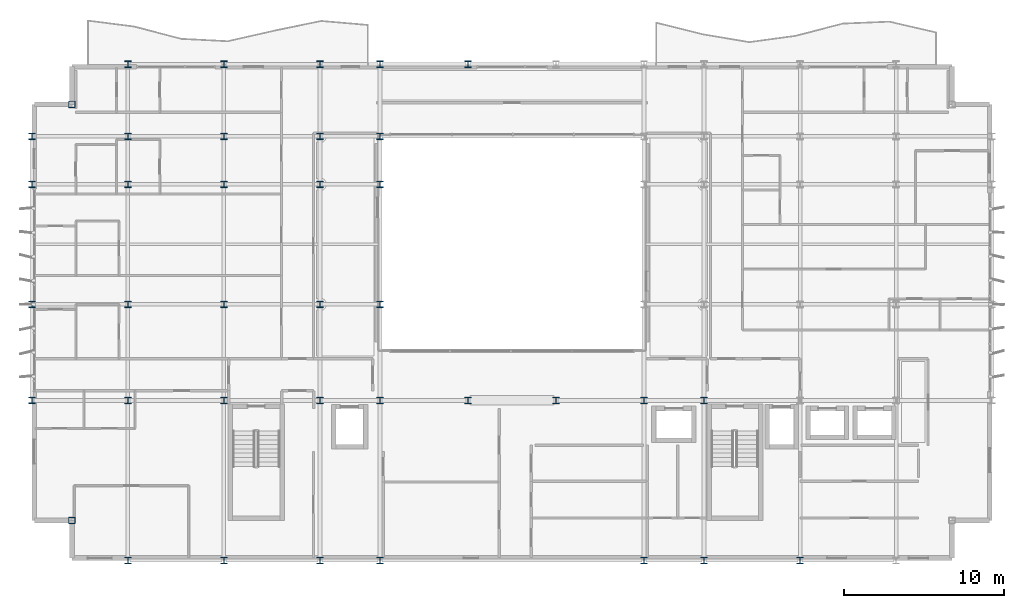
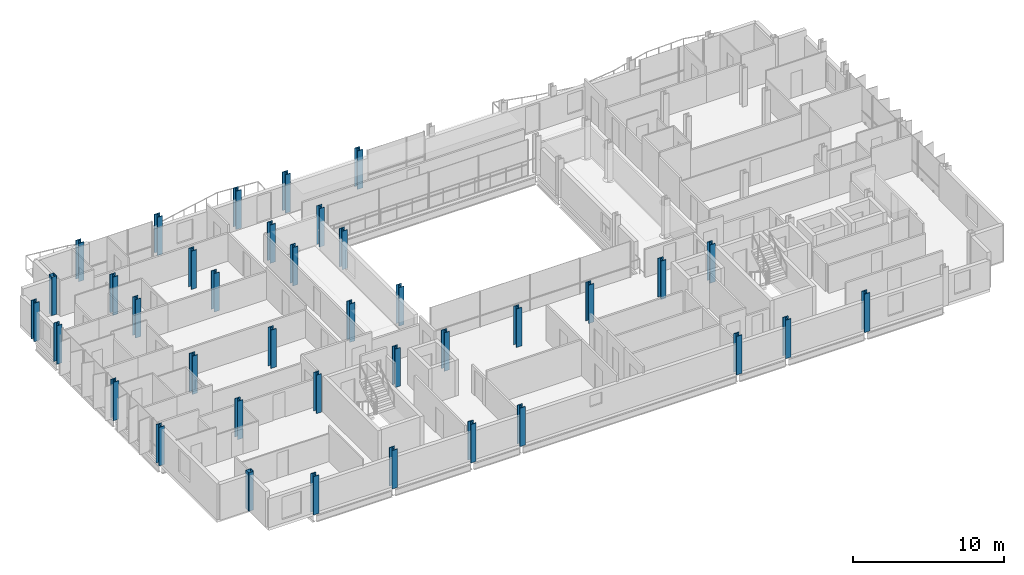
# One storey, part 1 of 39: 38 columns.
"""IFC4 building model written with IfcOpenShell, lengths in metres."""

import ifcopenshell
import ifcopenshell.guid

model = None  # the IFC model being written
_history = None  # IfcOwnerHistory: only IFC2X3 demands one
_inside = {}  # id of a spatial element -> (the spatial element, [elements in it])
_under = {}  # id of a project, library or spatial element -> (it, [spatial elements below it])
_declared = {}  # id of a project -> (the project, [libraries it declares])
_typed = {}  # id of a type object -> (the type object, [elements of that type])
_made_of = {}  # id of a material, layer set ... -> (it, [elements and type objects made of it])


def new_model(schema):
    """Start an empty IFC model of exactly this schema.

    Asked for "IFC4X3", IfcOpenShell would pick the latest addendum, in which some entities
    have other attributes; the version numbers below select the first issue.
    IFC2X3 requires an IfcOwnerHistory on every rooted entity: one is made here for all.
    """
    global model, _history
    if schema == "IFC4X3":
        model = ifcopenshell.file(schema_version=(4, 3, 0, 0))
    else:
        model = ifcopenshell.file(schema=schema)
    _inside.clear()
    _under.clear()
    _declared.clear()
    _typed.clear()
    _made_of.clear()
    _history = None
    if model.schema == "IFC2X3":
        org = make("IfcOrganization", Name="unknown")
        user = make(
            "IfcPersonAndOrganization",
            ThePerson=make("IfcPerson", FamilyName="unknown"),
            TheOrganization=org,
        )
        app = make(
            "IfcApplication",
            ApplicationDeveloper=org,
            Version="unknown",
            ApplicationFullName="unknown",
            ApplicationIdentifier="unknown",
        )
        _history = make(
            "IfcOwnerHistory",
            OwningUser=user,
            OwningApplication=app,
            ChangeAction="ADDED",
            CreationDate=0,
        )
    return model


def make(cls, **values):
    """One entity of the class cls with the attributes given. An attribute that is None is left unset."""
    return model.create_entity(
        cls, **{name: value for name, value in values.items() if value is not None}
    )


def rooted(cls, **values):
    """An entity with a GlobalId (a new one), such as an element, a storey or a relation."""
    return make(cls, GlobalId=ifcopenshell.guid.new(), OwnerHistory=_history, **values)


def si_unit(unit_type, name, prefix=None):
    """IfcSIUnit, for example si_unit("LENGTHUNIT", "METRE", prefix="MILLI")."""
    return make("IfcSIUnit", UnitType=unit_type, Prefix=prefix, Name=name)


def assignment(units):
    """IfcUnitAssignment: the units of a project."""
    return None if units is None else make("IfcUnitAssignment", Units=units)


def point(xyz):
    """IfcCartesianPoint."""
    return None if xyz is None else make("IfcCartesianPoint", Coordinates=xyz)


def direction(xyz):
    """IfcDirection."""
    return None if xyz is None else make("IfcDirection", DirectionRatios=xyz)


def frame(location, z_axis=None, x_axis=None):
    """IfcAxis2Placement3D, a coordinate frame: its origin and axes. An axis left out is left unset."""
    return make(
        "IfcAxis2Placement3D",
        Location=point(location),
        Axis=direction(z_axis),
        RefDirection=direction(x_axis),
    )


def frame_2d(location, x_axis=None):
    """IfcAxis2Placement2D, a coordinate frame in the plane: its origin and x axis."""
    return make(
        "IfcAxis2Placement2D", Location=point(location), RefDirection=direction(x_axis)
    )


def origin():
    """The frame at (0, 0, 0) with its axes left unset."""
    return frame((0.0, 0.0, 0.0))


def origin_2d():
    """The frame at (0, 0) in the plane with its x axis left unset."""
    return frame_2d((0.0, 0.0))


def place(relative_to, where):
    """IfcLocalPlacement: puts the frame where relative to a parent placement (None: the world)."""
    return make(
        "IfcLocalPlacement", PlacementRelTo=relative_to, RelativePlacement=where
    )


def context(
    kind, dimensions, precision=None, world=None, true_north=None, identifier=None
):
    """IfcGeometricRepresentationContext, for example the 3D "Model" context."""
    return make(
        "IfcGeometricRepresentationContext",
        ContextIdentifier=identifier,
        ContextType=kind,
        CoordinateSpaceDimension=dimensions,
        Precision=precision,
        WorldCoordinateSystem=world,
        TrueNorth=true_north,
    )


def subcontext(parent, identifier, kind, view, scale=None):
    """IfcGeometricRepresentationSubContext, for example "Body" below "Model"."""
    return make(
        "IfcGeometricRepresentationSubContext",
        ContextIdentifier=identifier,
        ContextType=kind,
        ParentContext=parent,
        TargetScale=scale,
        TargetView=view,
    )


def project(units=None, contexts=None):
    """IfcProject with its units and contexts."""
    return rooted(
        "IfcProject",
        Name="project",
        RepresentationContexts=contexts,
        UnitsInContext=assignment(units),
    )


def spatial(cls, under=None, at=None, **own):
    """A site, building, storey or space (cls), placed at a placement, below another one or the project."""
    s = rooted(cls, ObjectPlacement=at, **own)
    if under is not None:
        _under.setdefault(under.id(), (under, []))[1].append(s)
    return s


def profile(cls, at=None, kind="AREA", **sizes):
    """A parametric profile (cls). Its sizes go by their IFC names, for example OverallWidth=200.0."""
    return make(cls, ProfileType=kind, Position=at, **sizes)


def hollow_rectangle(**sizes):
    """IfcRectangleHollowProfileDef."""
    return profile("IfcRectangleHollowProfileDef", **sizes)


def i_section(**sizes):
    """IfcIShapeProfileDef."""
    return profile("IfcIShapeProfileDef", **sizes)


def extrude(swept, where, along, depth):
    """IfcExtrudedAreaSolid: the profile swept, set in the frame where, extruded along a direction by depth."""
    return make(
        "IfcExtrudedAreaSolid",
        SweptArea=swept,
        Position=where,
        ExtrudedDirection=direction(along),
        Depth=depth,
    )


def shape(context_of_items, identifier, shape_type, items):
    """IfcShapeRepresentation: the items that make up one representation, for example the "Body"."""
    return make(
        "IfcShapeRepresentation",
        ContextOfItems=context_of_items,
        RepresentationIdentifier=identifier,
        RepresentationType=shape_type,
        Items=items,
    )


def material(Name=None, Category=None):
    """IfcMaterial."""
    return make("IfcMaterial", Name=Name, Category=Category)


def material_profile(
    of_material, cross_section, Name=None, Category=None, Priority=None
):
    """IfcMaterialProfile: a cross section and its material."""
    return make(
        "IfcMaterialProfile",
        Name=Name,
        Material=of_material,
        Profile=cross_section,
        Priority=Priority,
        Category=Category,
    )


def profile_set(profiles, Name=None, composite=None):
    """IfcMaterialProfileSet."""
    return make(
        "IfcMaterialProfileSet",
        Name=Name,
        MaterialProfiles=profiles,
        CompositeProfile=composite,
    )


def made_of(thing, what):
    """Note that an element or type object is made of a material, layer set ...; save() writes the relation."""
    if what is not None:
        _made_of.setdefault(what.id(), (what, []))[1].append(thing)
    return thing


def type_object(cls, material=None, **own):
    """A type object (cls), such as IfcWallType, which elements share."""
    return made_of(rooted(cls, **own), material)


def element(
    cls,
    number,
    at=None,
    inside=None,
    cuts=None,
    type_object=None,
    material=None,
    context=None,
    identifier="Body",
    shape_type=None,
    held_by="IfcProductDefinitionShape",
    body=None,
    shapes=None,
    **own,
):
    """One element of the class cls, such as IfcWall. Its Tag is "e" and its number.

    at: its placement. inside: the storey or other place that contains it. cuts: it is an
    opening in that element (IfcRelVoidsElement). A single representation is given by context,
    identifier, shape_type and body (its items); several are given by shapes. held_by: the class
    of the entity that holds the representations. save() writes the other relations.
    """
    e = rooted(cls, Tag="e%d" % number, ObjectPlacement=at, **own)
    if body is not None:
        shapes = [shape(context, identifier, shape_type, body)]
    if shapes is not None:
        e.Representation = make(held_by, Representations=shapes)
    if inside is not None:
        _inside.setdefault(inside.id(), (inside, []))[1].append(e)
    if cuts is not None:
        rooted(
            "IfcRelVoidsElement", RelatingBuildingElement=cuts, RelatedOpeningElement=e
        )
    if type_object is not None:
        _typed.setdefault(type_object.id(), (type_object, []))[1].append(e)
    return made_of(e, material)


def aggregate(whole, parts):
    """IfcRelAggregates: a whole, such as a stair, and the parts it consists of."""
    return rooted("IfcRelAggregates", RelatingObject=whole, RelatedObjects=parts)


def save(model, path):
    """Write the relations noted so far, then the file.

    IfcRelAggregates (storeys below a building ...), IfcRelContainedInSpatialStructure (elements
    in a storey), IfcRelDefinesByType, IfcRelAssociatesMaterial and IfcRelDeclares: one each for
    every whole, place, type object, material and project.
    """
    for whole, parts in _under.values():
        aggregate(whole, parts)
    for where, things in _inside.values():
        rooted(
            "IfcRelContainedInSpatialStructure",
            RelatedElements=things,
            RelatingStructure=where,
        )
    for kind, things in _typed.values():
        rooted("IfcRelDefinesByType", RelatedObjects=things, RelatingType=kind)
    for what, things in _made_of.values():
        rooted("IfcRelAssociatesMaterial", RelatedObjects=things, RelatingMaterial=what)
    for by, libraries in _declared.values():
        rooted("IfcRelDeclares", RelatingContext=by, RelatedDefinitions=libraries)
    model.write(path)


model = new_model("IFC4")

# Units and contexts
model_context = context("Model", 3, precision=1e-05, world=origin(), true_north=direction((0.0, 1.0)))
body_context = subcontext(model_context, "Body", "Model", "MODEL_VIEW")
ifc_project = project(units=[si_unit("LENGTHUNIT", "METRE"), si_unit("AREAUNIT", "SQUARE_METRE"), si_unit("VOLUMEUNIT", "CUBIC_METRE"), si_unit("PLANEANGLEUNIT", "RADIAN"), si_unit("MASSUNIT", "GRAM", prefix="KILO")], contexts=[model_context])

# Site, building, storey
site_placement = place(None, origin())
site = spatial("IfcSite", under=ifc_project, at=site_placement, CompositionType="ELEMENT")
building_placement = place(site_placement, origin())
building = spatial("IfcBuilding", under=site, at=building_placement, Name="Brevholm Reach", CompositionType="ELEMENT")
storey_placement = place(building_placement, frame((0.0, 0.0, 154.199951171875)))
storey = spatial("IfcBuildingStorey", under=building, at=storey_placement, Name="L46", CompositionType="ELEMENT", Elevation=154.199951171875)

# Columns
ifc_material_1 = material(Name="Structural Steel S460NH", Category="steel")
ifc_material_profile_1 = material_profile(ifc_material_1, hollow_rectangle(XDim=0.39990234375, YDim=0.39990234375, WallThickness=0.02001953125, InnerFilletRadius=0.011962890625, OuterFilletRadius=0.02392578125, at=origin_2d()), Name="SHS 400x400x20")
ifc_profile_set_1 = profile_set([ifc_material_profile_1], Name="Structural Steel S460NH")
column_type_1 = type_object("IfcColumnType", Name="COL-SHS2", PredefinedType="COLUMN", material=ifc_profile_set_1)
for number, where, z_axis, x_axis, name in (
    (1, (2.5, 2.5, 0.0), (0.0, 0.0, 1.0), (1.0, 0.0, 0.0), "L46 Column 05"),
    (2, (2.5, 28.5, 0.0), (0.0, 0.0, 1.0), (1.0, 0.0, 0.0), "L46 Column 06"),
):
    element("IfcColumn", number, at=place(storey_placement, frame(where, z_axis=z_axis, x_axis=x_axis)), inside=storey, type_object=column_type_1, Name=name, PredefinedType="COLUMN", context=body_context, shape_type="SweptSolid", body=[
        extrude(hollow_rectangle(XDim=0.39990234375, YDim=0.39990234375, WallThickness=0.02001953125, InnerFilletRadius=0.011962890625, OuterFilletRadius=0.02392578125, at=origin_2d()), origin(), (0.0, 0.0, 1.0), 3.10009765625),
    ])
ifc_material_2 = material(Name="Structural Steel S355J2", Category="steel")
ifc_material_profile_2 = material_profile(ifc_material_2, i_section(OverallWidth=0.406982421875, OverallDepth=0.4189453125, WebThickness=0.030517578125, FlangeThickness=0.04931640625, FilletRadius=0.01513671875, at=origin_2d()), Name="UKC 356x406x393")
ifc_profile_set_2 = profile_set([ifc_material_profile_2], Name="Structural Steel S355J2")
column_type_2 = type_object("IfcColumnType", Name="COL-UC4", PredefinedType="COLUMN", material=ifc_profile_set_2)
for number, where, z_axis, x_axis, name in (
    (3, (0.0, 10.0, 0.0), (0.0, 0.0, 1.0), (1.0, 0.0, 0.0), "L46 Column 01"),
    (4, (0.0, 16.0, 0.0), (0.0, 0.0, 1.0), (1.0, 0.0, 0.0), "L46 Column 02"),
    (5, (0.0, 23.5, 0.0), (0.0, 0.0, 1.0), (1.0, 0.0, 0.0), "L46 Column 03"),
    (6, (0.0, 26.5, 0.0), (0.0, 0.0, 1.0), (1.0, 0.0, 0.0), "L46 Column 04"),
    (7, (6.0, 0.0, 0.0), (0.0, 0.0, 1.0), (1.0, 0.0, 0.0), "L46 Column 07"),
    (8, (6.0, 31.0, 0.0), (0.0, 0.0, 1.0), (1.0, 0.0, 0.0), "L46 Column 12"),
    (9, (12.0, 0.0, 0.0), (0.0, 0.0, 1.0), (1.0, 0.0, 0.0), "L46 Column 13"),
    (10, (12.0, 31.0, 0.0), (0.0, 0.0, 1.0), (1.0, 0.0, 0.0), "L46 Column 18"),
    (11, (18.0, 0.0, 0.0), (0.0, 0.0, 1.0), (1.0, 0.0, 0.0), "L46 Column 19"),
    (12, (18.0, 31.0, 0.0), (0.0, 0.0, 1.0), (1.0, 0.0, 0.0), "L46 Column 24"),
    (13, (21.75, 0.0, 0.0), (0.0, 0.0, 1.0), (1.0, 0.0, 0.0), "L46 Column 25"),
    (14, (21.75, 31.0, 0.0), (0.0, 0.0, 1.0), (1.0, 0.0, 0.0), "L46 Column 30"),
    (15, (27.25, 31.0, 0.0), (0.0, 0.0, 1.0), (1.0, 0.0, 0.0), "L46 Column 32"),
    (16, (38.25, 0.0, 0.0), (0.0, 0.0, 1.0), (1.0, 0.0, 0.0), "L46 Column 35"),
    (17, (42.0, 0.0, 0.0), (0.0, 0.0, 1.0), (1.0, 0.0, 0.0), "L46 Column 41"),
    (18, (48.0, 0.0, 0.0), (0.0, 0.0, 1.0), (1.0, 0.0, 0.0), "L46 Column 47"),
):
    element("IfcColumn", number, at=place(storey_placement, frame(where, z_axis=z_axis, x_axis=x_axis)), inside=storey, type_object=column_type_2, Name=name, PredefinedType="COLUMN", context=body_context, shape_type="SweptSolid", body=[
        extrude(i_section(OverallWidth=0.406982421875, OverallDepth=0.4189453125, WebThickness=0.030517578125, FlangeThickness=0.04931640625, FilletRadius=0.01513671875, at=origin_2d()), origin(), (0.0, 0.0, 1.0), 3.10009765625),
    ])
ifc_material_3 = material(Name="Structural Steel S355J2", Category="steel")
ifc_material_profile_3 = material_profile(ifc_material_3, i_section(OverallWidth=0.403076171875, OverallDepth=0.406494140625, WebThickness=0.026611328125, FlangeThickness=0.04296875, FilletRadius=0.01513671875, at=origin_2d()), Name="UKC 356x406x340")
ifc_profile_set_3 = profile_set([ifc_material_profile_3], Name="Structural Steel S355J2")
column_type_3 = type_object("IfcColumnType", Name="COL-UC5", PredefinedType="COLUMN", material=ifc_profile_set_3)
for number, where, z_axis, x_axis, name in (
    (19, (6.0, 10.0, 0.0), (0.0, 0.0, 1.0), (1.0, 0.0, 0.0), "L46 Column 08"),
    (20, (6.0, 16.0, 0.0), (0.0, 0.0, 1.0), (1.0, 0.0, 0.0), "L46 Column 09"),
    (21, (6.0, 23.5, 0.0), (0.0, 0.0, 1.0), (1.0, 0.0, 0.0), "L46 Column 10"),
    (22, (6.0, 26.5, 0.0), (0.0, 0.0, 1.0), (1.0, 0.0, 0.0), "L46 Column 11"),
    (23, (12.0, 10.0, 0.0), (0.0, 0.0, 1.0), (1.0, 0.0, 0.0), "L46 Column 14"),
    (24, (12.0, 16.0, 0.0), (0.0, 0.0, 1.0), (1.0, 0.0, 0.0), "L46 Column 15"),
    (25, (12.0, 23.5, 0.0), (0.0, 0.0, 1.0), (1.0, 0.0, 0.0), "L46 Column 16"),
    (26, (12.0, 26.5, 0.0), (0.0, 0.0, 1.0), (1.0, 0.0, 0.0), "L46 Column 17"),
    (27, (18.0, 10.0, 0.0), (0.0, 0.0, 1.0), (1.0, 0.0, 0.0), "L46 Column 20"),
    (28, (18.0, 16.0, 0.0), (0.0, 0.0, 1.0), (1.0, 0.0, 0.0), "L46 Column 21"),
    (29, (18.0, 23.5, 0.0), (0.0, 0.0, 1.0), (1.0, 0.0, 0.0), "L46 Column 22"),
    (30, (18.0, 26.5, 0.0), (0.0, 0.0, 1.0), (1.0, 0.0, 0.0), "L46 Column 23"),
    (31, (21.75, 10.0, 0.0), (0.0, 0.0, 1.0), (1.0, 0.0, 0.0), "L46 Column 26"),
    (32, (21.75, 16.0, 0.0), (0.0, 0.0, 1.0), (1.0, 0.0, 0.0), "L46 Column 27"),
    (33, (21.75, 23.5, 0.0), (0.0, 0.0, 1.0), (1.0, 0.0, 0.0), "L46 Column 28"),
    (34, (21.75, 26.5, 0.0), (0.0, 0.0, 1.0), (1.0, 0.0, 0.0), "L46 Column 29"),
    (35, (27.25, 10.0, 0.0), (0.0, 0.0, 1.0), (1.0, 0.0, 0.0), "L46 Column 31"),
    (36, (32.75, 10.0, 0.0), (0.0, 0.0, 1.0), (1.0, 0.0, 0.0), "L46 Column 33"),
    (37, (38.25, 10.0, 0.0), (0.0, 0.0, 1.0), (1.0, 0.0, 0.0), "L46 Column 36"),
    (38, (42.0, 10.0, 0.0), (0.0, 0.0, 1.0), (1.0, 0.0, 0.0), "L46 Column 42"),
):
    element("IfcColumn", number, at=place(storey_placement, frame(where, z_axis=z_axis, x_axis=x_axis)), inside=storey, type_object=column_type_3, Name=name, PredefinedType="COLUMN", context=body_context, shape_type="SweptSolid", body=[
        extrude(i_section(OverallWidth=0.403076171875, OverallDepth=0.406494140625, WebThickness=0.026611328125, FlangeThickness=0.04296875, FilletRadius=0.01513671875, at=origin_2d()), origin(), (0.0, 0.0, 1.0), 3.10009765625),
    ])

save(model, "model.ifc")
